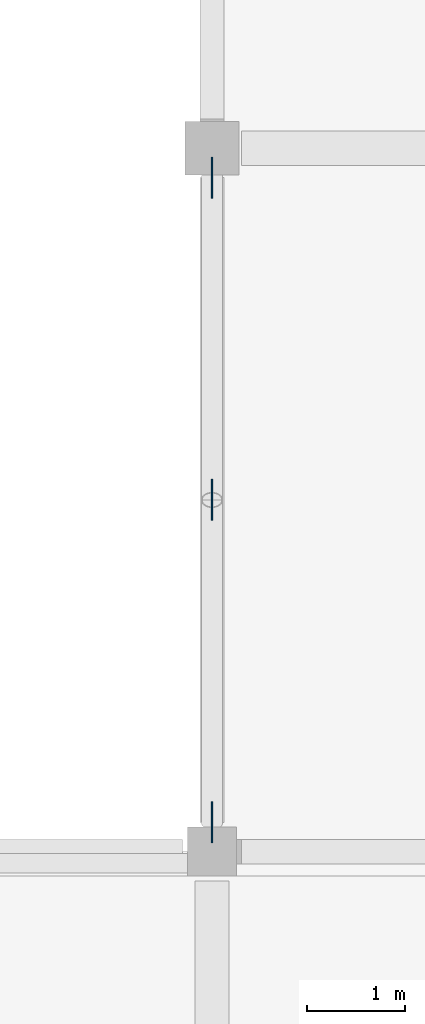
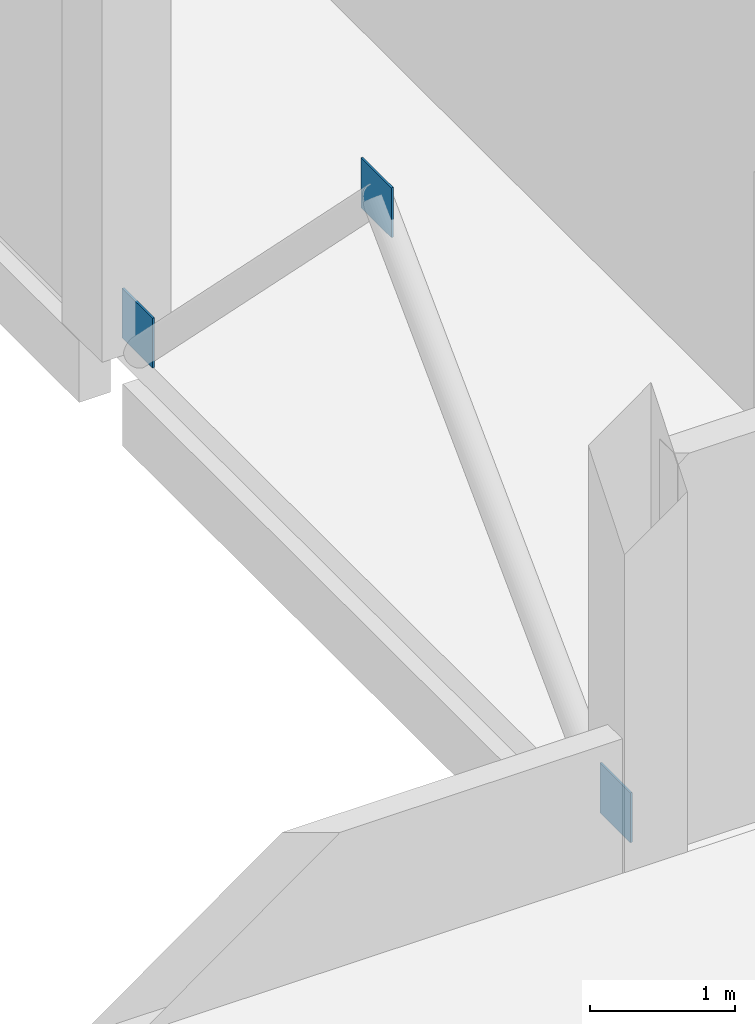
# One storey, part 13 of 26: 3 plates.
"""IFC4 building model written with IfcOpenShell, lengths in metres."""

from ifc_helpers import new_model, si_unit, direction, frame, origin, origin_2d, place, context, subcontext, project, spatial, rectangle, extrude, material, layer, layer_set, type_object, element, save


model = new_model("IFC4")

# Units and contexts
model_context = context("Model", 3, precision=1e-05, world=origin(), true_north=direction((0.0, 1.0)))
body_context = subcontext(model_context, "Body", "Model", "MODEL_VIEW")
ifc_project = project(units=[si_unit("LENGTHUNIT", "METRE"), si_unit("AREAUNIT", "SQUARE_METRE"), si_unit("VOLUMEUNIT", "CUBIC_METRE"), si_unit("PLANEANGLEUNIT", "RADIAN"), si_unit("MASSUNIT", "GRAM", prefix="KILO")], contexts=[model_context])

# Site, building, storey
site_placement = place(None, origin())
site = spatial("IfcSite", under=ifc_project, at=site_placement, CompositionType="ELEMENT")
building_placement = place(site_placement, origin())
building = spatial("IfcBuilding", under=site, at=building_placement, Name="Kangsadwip Square Police Headquarters", CompositionType="ELEMENT")
storey_placement = place(building_placement, frame((0.0, 0.0, 25.64990234375)))
storey = spatial("IfcBuildingStorey", under=building, at=storey_placement, Name="L06", CompositionType="ELEMENT", Elevation=25.64990234375)

# Plates
ifc_material = material(Name="Structural steel IS 2062 E350 (Grade 350, 350 MPa)", Category="steel")
ifc_layer = layer(ifc_material, 0.01611328125)
ifc_layer_set = layer_set([ifc_layer], Name="Structural steel IS 2062 E350 (Grade 350, 350 MPa)")
plate_type = type_object("IfcPlateType", Name="TrussGussetPlate16", PredefinedType="USERDEFINED", material=ifc_layer_set)
for number, where, z_axis, x_axis, name in (
    (1, (144.0, 39.60009765625, 3.10009765625), (0.0, 0.0, 1.0), (0.0, 1.0, 0.0), "Truss Node Gusset Plate GP-L06-0169"),
    (2, (144.0, 36.300048828125, 0.000244140625), (0.0, 0.0, 1.0), (0.0, 1.0, 0.0), "Truss Node Gusset Plate GP-L06-0170"),
    (3, (144.0, 42.89990234375, 0.000244140625), (0.0, 0.0, 1.0), (0.0, 1.0, 0.0), "Truss Node Gusset Plate GP-L06-0171"),
):
    element("IfcPlate", number, at=place(storey_placement, frame(where, z_axis=z_axis, x_axis=x_axis)), inside=storey, type_object=plate_type, Name=name, ObjectType="GUSSET_PLATE", PredefinedType="USERDEFINED", context=body_context, shape_type="SweptSolid", body=[
        extrude(rectangle(XDim=0.419921875, YDim=0.01611328125, at=origin_2d()), origin(), (0.0, 0.0, 1.0), 0.419921875),
    ])

save(model, "model.ifc")
